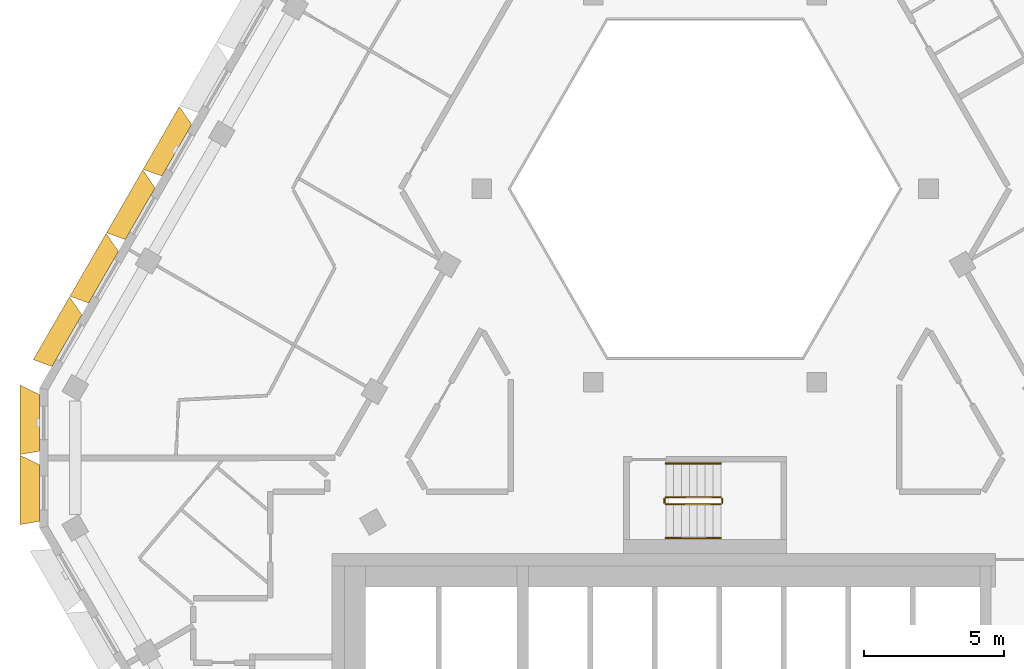
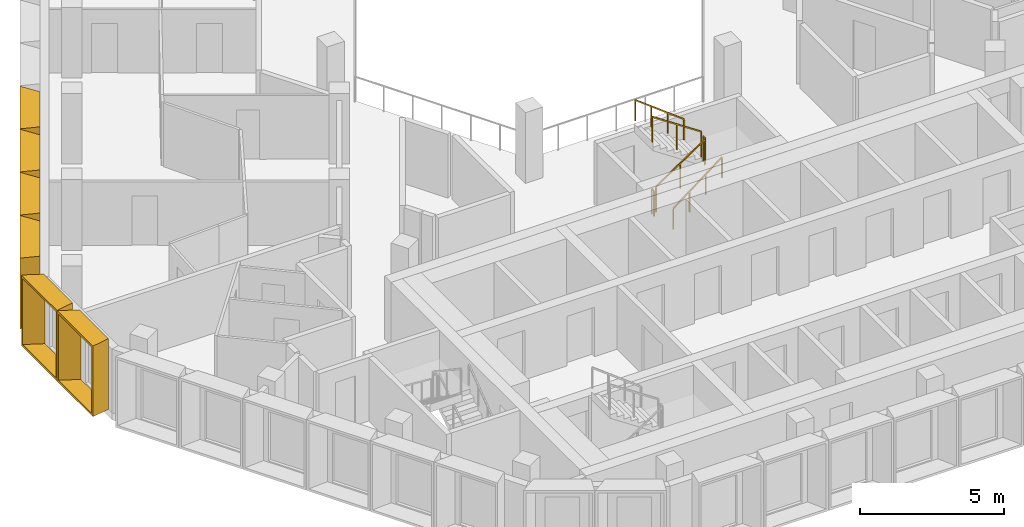
# One storey, part 13 of 16: 6 railings, 6 shading devices.
"""IFC4 building model written with IfcOpenShell, lengths in metres."""

from ifc_helpers import new_model, entity, si_unit, direction, frame, origin, origin_2d, place, context, subcontext, project, spatial, rectangle, extrude, source, transform, mapped, material, type_object, type_shapes, element, save


model = new_model("IFC4")

# Units and contexts
model_context = context("Model", 3, precision=1e-05, world=origin(), true_north=direction((0.0, 1.0)))
body_context = subcontext(model_context, "Body", "Model", "MODEL_VIEW")
ifc_project = project(units=[si_unit("LENGTHUNIT", "METRE"), si_unit("AREAUNIT", "SQUARE_METRE"), si_unit("VOLUMEUNIT", "CUBIC_METRE"), si_unit("PLANEANGLEUNIT", "RADIAN"), si_unit("MASSUNIT", "GRAM", prefix="KILO")], contexts=[model_context])

# Site, building, storey
site_placement = place(None, origin())
site = spatial("IfcSite", under=ifc_project, at=site_placement, CompositionType="ELEMENT")
building_placement = place(site_placement, origin())
building = spatial("IfcBuilding", under=site, at=building_placement, Name="Beryl Residences", CompositionType="ELEMENT")
storey_placement = place(building_placement, frame((0.0, 0.0, 226.800048828125)))
storey = spatial("IfcBuildingStorey", under=building, at=storey_placement, Name="L70", CompositionType="ELEMENT", Elevation=226.800048828125)

# Shading devices
ifc_material_1 = material(Name="Aluminium pale anodised", Category="aluminium")
shading_device_type_1 = type_object("IfcShadingDeviceType", Name="FR250-70B OUTER SKIN frame 700 mm deep, splay 26/10 deg, 2500 x 3000 mm cell", PredefinedType="USERDEFINED", material=ifc_material_1)
cartesian_point_1 = entity("IfcCartesianPoint", [-1.007568359375, 0.0])
cartesian_point_2 = entity("IfcCartesianPoint", [-0.91845703125, 0.10009765625])
cartesian_point_3 = entity("IfcCartesianPoint", [-1.348876953125, 0.0])
cartesian_point_4 = entity("IfcCartesianPoint", [-1.260009765625, 0.10009765625])
shared_shape_1 = source(origin(), body_context, "Body", "SweptSolid", [
    entity("IfcExtrudedAreaSolidTapered", entity("IfcArbitraryProfileDefWithVoids", "AREA", None, entity("IfcPolyline", [cartesian_point_1, entity("IfcCartesianPoint", [1.007568359375, 0.0]), entity("IfcCartesianPoint", [1.007568359375, 3.0]), entity("IfcCartesianPoint", [-1.007568359375, 3.0]), cartesian_point_1]), [entity("IfcPolyline", [cartesian_point_2, entity("IfcCartesianPoint", [0.92626953125, 0.10009765625]), entity("IfcCartesianPoint", [0.92626953125, 2.89990234375]), entity("IfcCartesianPoint", [-0.91845703125, 2.89990234375]), cartesian_point_2])]), entity("IfcAxis2Placement3D", entity("IfcCartesianPoint", [0.0, 0.0, 0.0]), entity("IfcDirection", [0.0, 1.0, 0.0]), entity("IfcDirection", [-1.0, 0.0, 0.0])), entity("IfcDirection", [0.0, 0.0, 1.0]), 0.699951171875, entity("IfcArbitraryProfileDefWithVoids", "AREA", None, entity("IfcPolyline", [cartesian_point_3, entity("IfcCartesianPoint", [1.130859375, 0.0]), entity("IfcCartesianPoint", [1.130859375, 3.0]), entity("IfcCartesianPoint", [-1.348876953125, 3.0]), cartesian_point_3]), [entity("IfcPolyline", [cartesian_point_4, entity("IfcCartesianPoint", [1.0498046875, 0.10009765625]), entity("IfcCartesianPoint", [1.0498046875, 2.89990234375]), entity("IfcCartesianPoint", [-1.260009765625, 2.89990234375]), cartesian_point_4])])),
])
type_shapes(shading_device_type_1, [shared_shape_1])
for number, where, z_axis, x_axis, name in (
    (1, (-23.72900390625, -0.35009765625, 0.0), (0.0, 0.0, 1.0), (0.0, 1.0, 0.0), "FR250-70B frame L70 NW-SW 1"),
    (2, (-23.72900390625, -2.85009765625, 0.0), (0.0, 0.0, 1.0), (0.0, 1.0, 0.0), "FR250-70B frame L70 NW-SW 2"),
):
    element("IfcShadingDevice", number, at=place(storey_placement, frame(where, z_axis=z_axis, x_axis=x_axis)), inside=storey, type_object=shading_device_type_1, Name=name, ObjectType="OUTER SKIN", PredefinedType="USERDEFINED", context=body_context, shape_type="MappedRepresentation", body=[
        mapped(shared_shape_1, transform((0.0, 0.0, 0.0))),
    ])
ifc_material_2 = material(Name="Aluminium pale anodised", Category="aluminium")
shading_device_type_2 = type_object("IfcShadingDeviceType", Name="FR261-70B OUTER SKIN frame 700 mm deep, splay 26/10 deg, 2610 x 3000 mm cell", PredefinedType="USERDEFINED", material=ifc_material_2)
cartesian_point_5 = entity("IfcCartesianPoint", [-1.0625, 0.0])
cartesian_point_6 = entity("IfcCartesianPoint", [-0.973388671875, 0.10009765625])
cartesian_point_7 = entity("IfcCartesianPoint", [-1.40380859375, 0.0])
cartesian_point_8 = entity("IfcCartesianPoint", [-1.31494140625, 0.10009765625])
shared_shape_2 = source(origin(), body_context, "Body", "SweptSolid", [
    entity("IfcExtrudedAreaSolidTapered", entity("IfcArbitraryProfileDefWithVoids", "AREA", None, entity("IfcPolyline", [cartesian_point_5, entity("IfcCartesianPoint", [1.0625, 0.0]), entity("IfcCartesianPoint", [1.0625, 3.0]), entity("IfcCartesianPoint", [-1.0625, 3.0]), cartesian_point_5]), [entity("IfcPolyline", [cartesian_point_6, entity("IfcCartesianPoint", [0.981201171875, 0.10009765625]), entity("IfcCartesianPoint", [0.981201171875, 2.89990234375]), entity("IfcCartesianPoint", [-0.973388671875, 2.89990234375]), cartesian_point_6])]), entity("IfcAxis2Placement3D", entity("IfcCartesianPoint", [0.0, 0.0, 0.0]), entity("IfcDirection", [0.0, 1.0, 0.0]), entity("IfcDirection", [-1.0, 0.0, 0.0])), entity("IfcDirection", [0.0, 0.0, 1.0]), 0.699951171875, entity("IfcArbitraryProfileDefWithVoids", "AREA", None, entity("IfcPolyline", [cartesian_point_7, entity("IfcCartesianPoint", [1.18603515625, 0.0]), entity("IfcCartesianPoint", [1.18603515625, 3.0]), entity("IfcCartesianPoint", [-1.40380859375, 3.0]), cartesian_point_7]), [entity("IfcPolyline", [cartesian_point_8, entity("IfcCartesianPoint", [1.104736328125, 0.10009765625]), entity("IfcCartesianPoint", [1.104736328125, 2.89990234375]), entity("IfcCartesianPoint", [-1.31494140625, 2.89990234375]), cartesian_point_8])])),
])
type_shapes(shading_device_type_2, [shared_shape_2])
for number, where, z_axis, x_axis, name in (
    (3, (-18.839111328125, 9.368896484375, 0.0), (0.0, 0.0, 1.0), (0.5, 0.866025403784, 0.0), "FR261-70B frame L70 NW 5"),
    (4, (-20.14501953125, 7.10595703125, 0.0), (0.0, 0.0, 1.0), (0.5, 0.866025403784, 0.0), "FR261-70B frame L70 NW 6"),
    (5, (-21.450927734375, 4.843994140625, 0.0), (0.0, 0.0, 1.0), (0.5, 0.866025403784, 0.0), "FR261-70B frame L70 NW 7"),
    (6, (-22.758056640625, 2.5810546875, 0.0), (0.0, 0.0, 1.0), (0.5, 0.866025403784, 0.0), "FR261-70B frame L70 NW 8"),
):
    element("IfcShadingDevice", number, at=place(storey_placement, frame(where, z_axis=z_axis, x_axis=x_axis)), inside=storey, type_object=shading_device_type_2, Name=name, ObjectType="OUTER SKIN", PredefinedType="USERDEFINED", context=body_context, shape_type="MappedRepresentation", body=[
        mapped(shared_shape_2, transform((0.0, 0.0, 0.0))),
    ])

# Railings
ifc_material_3 = material(Name="Stainless steel balustrade with glass infill", Category="steel")
railing_type_1 = type_object("IfcRailingType", Name="SG1 stair guard 1100 mm", PredefinedType="GUARDRAIL", material=ifc_material_3)
railing_1_placement = place(storey_placement, frame((-1.39990234375, -3.25, 0.1875)))
element("IfcRailing", 7, at=railing_1_placement, inside=storey, type_object=railing_type_1, Name="L70 ST-4 stair guard 1", PredefinedType="GUARDRAIL", context=body_context, shape_type="SweptSolid", body=[
    extrude(rectangle(XDim=0.048095703125, YDim=0.048095703125, at=origin_2d()), frame((0.0, 0.0, 1.076171875), z_axis=(0.830902050051, 0.0, 0.556418712142), x_axis=(0.0, 1.0, 0.0)), (0.0, 0.0, 1.0), 2.35888671875),
    extrude(rectangle(XDim=0.0419921875, YDim=0.0419921875, at=origin_2d()), origin(), (0.0, 0.0, 1.0), 1.052001953125),
    extrude(rectangle(XDim=0.0419921875, YDim=0.0419921875, at=origin_2d()), frame((0.97998046875, 0.0, 0.65625)), (0.0, 0.0, 1.0), 1.052001953125),
    extrude(rectangle(XDim=0.0419921875, YDim=0.0419921875, at=origin_2d()), frame((1.9599609375, 0.0, 1.3125)), (0.0, 0.0, 1.0), 1.052001953125),
])
railing_2_placement = place(storey_placement, frame((0.610107421875, -3.199951171875, 1.5)))
element("IfcRailing", 8, at=railing_2_placement, inside=storey, type_object=railing_type_1, Name="L70 ST-4 stair guard 2", PredefinedType="GUARDRAIL", context=body_context, shape_type="SweptSolid", body=[
    extrude(rectangle(XDim=0.048095703125, YDim=0.048095703125, at=origin_2d()), frame((0.0, 0.0, 1.076171875), z_axis=(0.0, 1.0, 0.0), x_axis=(-1.0, 0.0, 0.0)), (0.0, 0.0, 1.0), 0.14990234375),
    extrude(rectangle(XDim=0.0419921875, YDim=0.0419921875, at=origin_2d()), origin(), (0.0, 0.0, 1.0), 1.052001953125),
    extrude(rectangle(XDim=0.0419921875, YDim=0.0419921875, at=origin_2d()), frame((0.0, 0.14990234375, 0.0)), (0.0, 0.0, 1.0), 1.052001953125),
])
railing_3_placement = place(storey_placement, frame((0.56005859375, -3.0, 1.6875)))
element("IfcRailing", 9, at=railing_3_placement, inside=storey, type_object=railing_type_1, Name="L70 ST-4 stair guard 3", PredefinedType="GUARDRAIL", context=body_context, shape_type="SweptSolid", body=[
    extrude(rectangle(XDim=0.048095703125, YDim=0.048095703125, at=origin_2d()), frame((0.0, 0.0, 1.076171875), z_axis=(-0.830902050051, 0.0, 0.556418712142), x_axis=(0.0, -1.0, 0.0)), (0.0, 0.0, 1.0), 2.35888671875),
    extrude(rectangle(XDim=0.0419921875, YDim=0.0419921875, at=origin_2d()), origin(), (0.0, 0.0, 1.0), 1.052001953125),
    extrude(rectangle(XDim=0.0419921875, YDim=0.0419921875, at=origin_2d()), frame((-0.97998046875, 0.0, 0.65625)), (0.0, 0.0, 1.0), 1.052001953125),
    extrude(rectangle(XDim=0.0419921875, YDim=0.0419921875, at=origin_2d()), frame((-1.9599609375, 0.0, 1.3125)), (0.0, 0.0, 1.0), 1.052001953125),
])
railing_4_placement = place(storey_placement, frame((-1.449951171875, -3.199951171875, 0.0)))
element("IfcRailing", 10, at=railing_4_placement, inside=storey, type_object=railing_type_1, Name="L70 ST-4 stair guard 4", PredefinedType="GUARDRAIL", context=body_context, shape_type="SweptSolid", body=[
    extrude(rectangle(XDim=0.048095703125, YDim=0.048095703125, at=origin_2d()), frame((0.0, 0.0, 1.076171875), z_axis=(0.0, 1.0, 0.0), x_axis=(-1.0, 0.0, 0.0)), (0.0, 0.0, 1.0), 0.14990234375),
    extrude(rectangle(XDim=0.0419921875, YDim=0.0419921875, at=origin_2d()), origin(), (0.0, 0.0, 1.0), 1.052001953125),
    extrude(rectangle(XDim=0.0419921875, YDim=0.0419921875, at=origin_2d()), frame((0.0, 0.14990234375, 0.0)), (0.0, 0.0, 1.0), 1.052001953125),
])
ifc_material_4 = material(Name="Stainless steel handrail", Category="steel")
railing_type_2 = type_object("IfcRailingType", Name="SRL1 stair handrail 900 mm", PredefinedType="HANDRAIL", material=ifc_material_4)
railing_5_placement = place(storey_placement, frame((-1.39990234375, -4.449951171875, 0.1875)))
element("IfcRailing", 11, at=railing_5_placement, inside=storey, type_object=railing_type_2, Name="L70 ST-4 stair handrail 1", PredefinedType="HANDRAIL", context=body_context, shape_type="SweptSolid", body=[
    extrude(rectangle(XDim=0.048095703125, YDim=0.048095703125, at=origin_2d()), frame((0.0, 0.0, 0.8759765625), z_axis=(0.794121922505, 0.0, 0.607758481798), x_axis=(0.0, 1.0, 0.0)), (0.0, 0.0, 1.0), 2.468017578125),
    extrude(rectangle(XDim=0.0419921875, YDim=0.0419921875, at=origin_2d()), origin(), (0.0, 0.0, 1.0), 0.851806640625),
    extrude(rectangle(XDim=0.0419921875, YDim=0.0419921875, at=origin_2d()), frame((0.6533203125, 0.0, 0.5)), (0.0, 0.0, 1.0), 0.851806640625),
    extrude(rectangle(XDim=0.0419921875, YDim=0.0419921875, at=origin_2d()), frame((1.306640625, 0.0, 1.0)), (0.0, 0.0, 1.0), 0.851806640625),
    extrude(rectangle(XDim=0.0419921875, YDim=0.0419921875, at=origin_2d()), frame((1.9599609375, 0.0, 1.5)), (0.0, 0.0, 1.0), 0.851806640625),
])
railing_6_placement = place(storey_placement, frame((0.56005859375, -1.800048828125, 1.6875)))
element("IfcRailing", 12, at=railing_6_placement, inside=storey, type_object=railing_type_2, Name="L70 ST-4 stair handrail 2", PredefinedType="HANDRAIL", context=body_context, shape_type="SweptSolid", body=[
    extrude(rectangle(XDim=0.048095703125, YDim=0.048095703125, at=origin_2d()), frame((0.0, 0.0, 0.8759765625), z_axis=(-0.794121922505, 0.0, 0.607758481798), x_axis=(0.0, -1.0, 0.0)), (0.0, 0.0, 1.0), 2.468017578125),
    extrude(rectangle(XDim=0.0419921875, YDim=0.0419921875, at=origin_2d()), origin(), (0.0, 0.0, 1.0), 0.851806640625),
    extrude(rectangle(XDim=0.0419921875, YDim=0.0419921875, at=origin_2d()), frame((-0.6533203125, 0.0, 0.5)), (0.0, 0.0, 1.0), 0.851806640625),
    extrude(rectangle(XDim=0.0419921875, YDim=0.0419921875, at=origin_2d()), frame((-1.306640625, 0.0, 1.0)), (0.0, 0.0, 1.0), 0.851806640625),
    extrude(rectangle(XDim=0.0419921875, YDim=0.0419921875, at=origin_2d()), frame((-1.9599609375, 0.0, 1.5)), (0.0, 0.0, 1.0), 0.851806640625),
])

save(model, "model.ifc")
